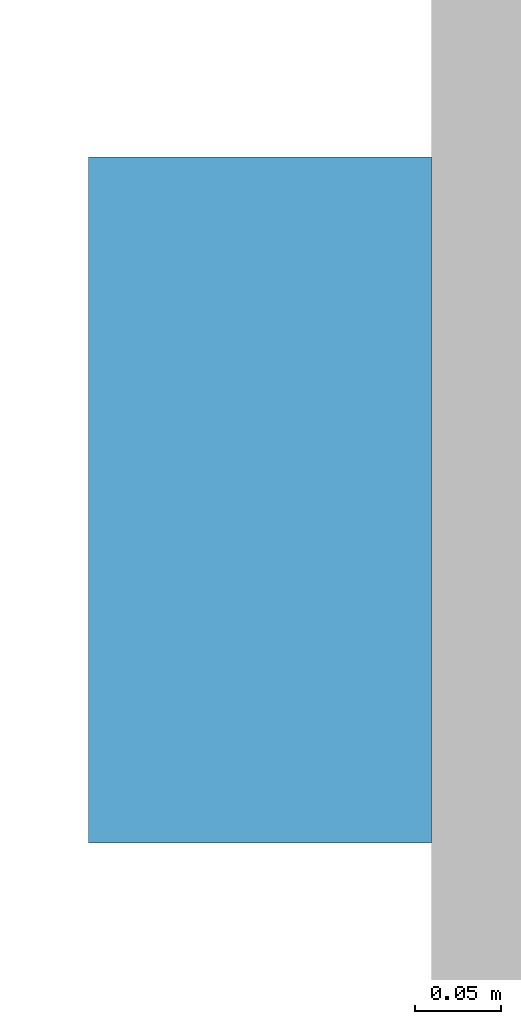
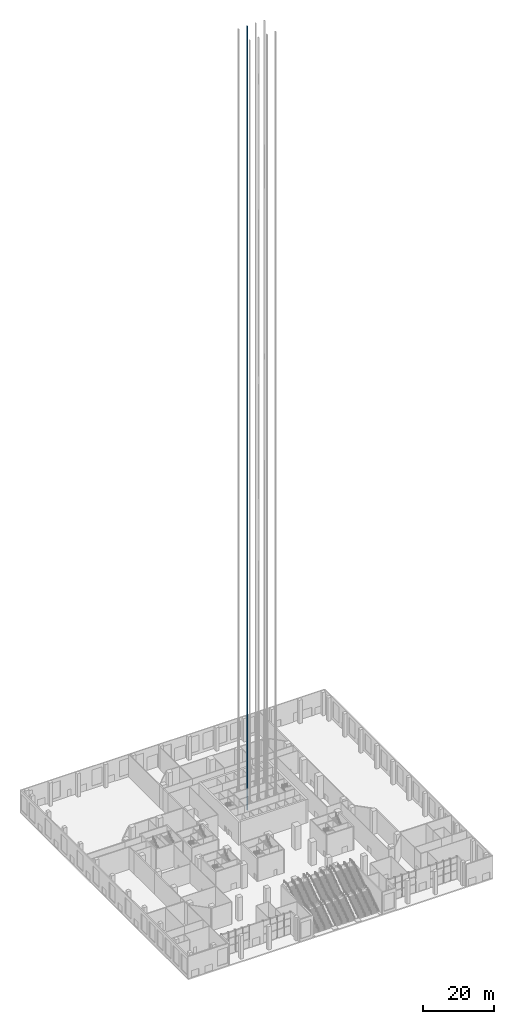
# One storey, part 24 of 32: 1 discrete accessory.
"""IFC4 building model written with IfcOpenShell, lengths in metres."""

from ifc_helpers import new_model, si_unit, direction, frame, origin, origin_2d, place, context, subcontext, project, spatial, rectangle, extrude, material, element, save


model = new_model("IFC4")

# Units and contexts
model_context = context("Model", 3, precision=1e-05, world=origin(), true_north=direction((0.0, 1.0)))
body_context = subcontext(model_context, "Body", "Model", "MODEL_VIEW")
ifc_project = project(units=[si_unit("LENGTHUNIT", "METRE"), si_unit("AREAUNIT", "SQUARE_METRE"), si_unit("VOLUMEUNIT", "CUBIC_METRE"), si_unit("PLANEANGLEUNIT", "RADIAN"), si_unit("MASSUNIT", "GRAM", prefix="KILO")], contexts=[model_context])

# Site, building, storey
site_placement = place(None, origin())
site = spatial("IfcSite", under=ifc_project, at=site_placement, CompositionType="ELEMENT")
building_placement = place(site_placement, origin())
building = spatial("IfcBuilding", under=site, at=building_placement, Name="Quoin Convention Tower", CompositionType="ELEMENT")
storey_placement = place(building_placement, origin())
storey = spatial("IfcBuildingStorey", under=building, at=storey_placement, Name="L00", CompositionType="ELEMENT", Elevation=0.0)

# Discrete accessory
ifc_material = material(Name="Galvanised steel", Category="steel")
discrete_accessory_placement = place(storey_placement, frame((56.050048828125, 63.89990234375, -0.35009765625), z_axis=(0.0, 0.0, 1.0), x_axis=(1.0, 0.0, 0.0)))
element("IfcDiscreteAccessory", 1, at=discrete_accessory_placement, inside=storey, material=ifc_material, Name="LIFT GUIDE RAILS H6", ObjectType="Lift guide rails", PredefinedType="USERDEFINED", context=body_context, shape_type="SweptSolid", body=[
    extrude(rectangle(XDim=0.199951171875, YDim=0.39990234375, at=origin_2d()), origin(), (0.0, 0.0, 1.0), 268.800048828125),
])

save(model, "model.ifc")
